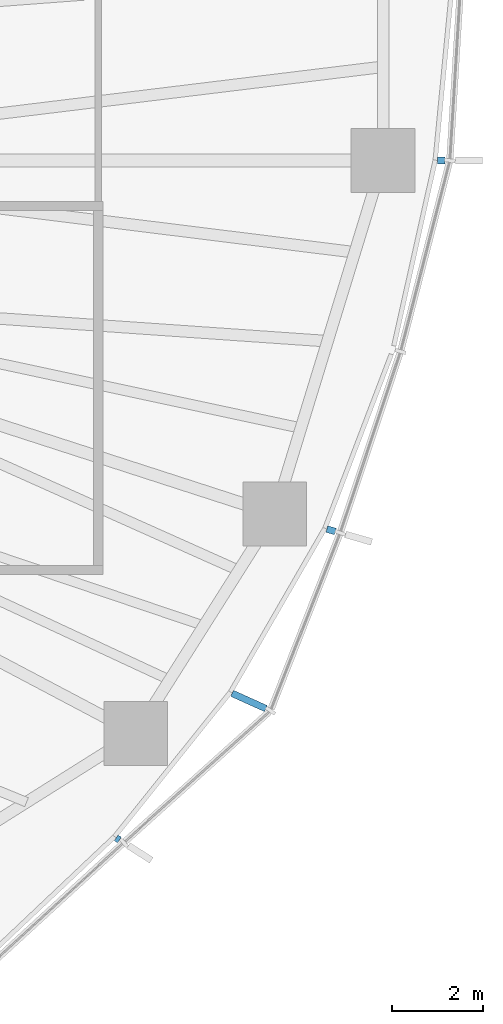
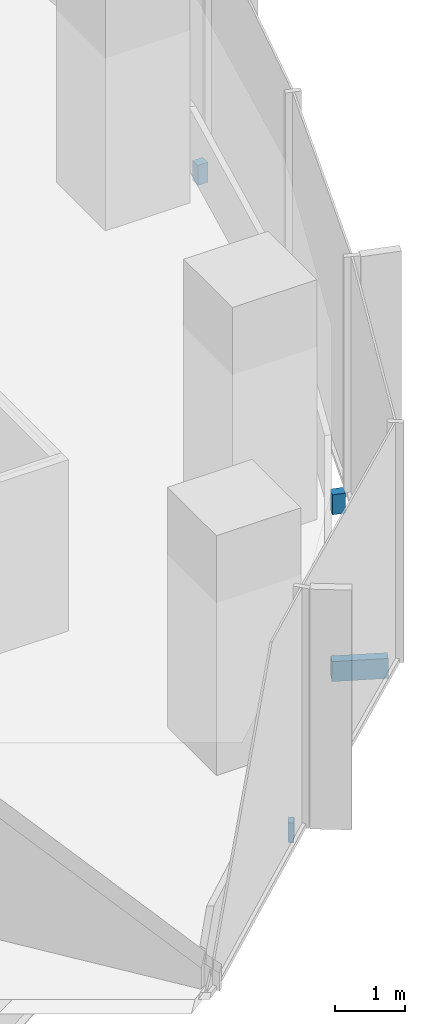
# One storey, part 14 of 18: 4 discrete accessories.
"""IFC4 building model written with IfcOpenShell, lengths in metres."""

from ifc_helpers import new_model, si_unit, direction, frame, origin, origin_2d, place, context, subcontext, project, spatial, rectangle, extrude, material, type_object, element, save


model = new_model("IFC4")

# Units and contexts
model_context = context("Model", 3, precision=1e-05, world=origin(), true_north=direction((0.0, 1.0)))
body_context = subcontext(model_context, "Body", "Model", "MODEL_VIEW")
ifc_project = project(units=[si_unit("LENGTHUNIT", "METRE"), si_unit("AREAUNIT", "SQUARE_METRE"), si_unit("VOLUMEUNIT", "CUBIC_METRE"), si_unit("PLANEANGLEUNIT", "RADIAN"), si_unit("MASSUNIT", "GRAM", prefix="KILO")], contexts=[model_context])

# Site, building, storey
site_placement = place(None, origin())
site = spatial("IfcSite", under=ifc_project, at=site_placement, CompositionType="ELEMENT")
building_placement = place(site_placement, origin())
building = spatial("IfcBuilding", under=site, at=building_placement, Name="Ghaith Harvest Tower", CompositionType="ELEMENT")
storey_placement = place(building_placement, frame((0.0, 0.0, 155.39990234375)))
storey = spatial("IfcBuildingStorey", under=building, at=storey_placement, Name="L33", CompositionType="ELEMENT", Elevation=155.39990234375)

# Discrete accessories
ifc_material_1 = material(Name="Stainless steel grade 1.4401", Category="steel")
discrete_accessory_type_1 = type_object("IfcDiscreteAccessoryType", Name="CURTAIN WALL BRACKET 165", PredefinedType="BRACKET", material=ifc_material_1)
discrete_accessory_1_placement = place(storey_placement, frame((30.5361328125, 0.0, -0.25), z_axis=(0.0, 0.0, 1.0), x_axis=(1.0, 0.0, 0.0)))
element("IfcDiscreteAccessory", 1, at=discrete_accessory_1_placement, inside=storey, type_object=discrete_accessory_type_1, Name="CW-L bracket 1 bay 01 L33", PredefinedType="BRACKET", context=body_context, shape_type="SweptSolid", body=[
    extrude(rectangle(XDim=0.1650390625, YDim=0.14990234375, at=origin_2d()), origin(), (0.0, 0.0, 1.0), 0.35009765625),
])
ifc_material_2 = material(Name="Stainless steel grade 1.4401", Category="steel")
discrete_accessory_type_2 = type_object("IfcDiscreteAccessoryType", Name="CURTAIN WALL BRACKET 195", PredefinedType="BRACKET", material=ifc_material_2)
discrete_accessory_2_placement = place(storey_placement, frame((28.1201171875, -8.127197265625, -0.25), z_axis=(0.0, 0.0, 1.0), x_axis=(0.960680349932, -0.277656739976, 0.0)))
element("IfcDiscreteAccessory", 2, at=discrete_accessory_2_placement, inside=storey, type_object=discrete_accessory_type_2, Name="CW-L bracket 1 bay 20 L33", PredefinedType="BRACKET", context=body_context, shape_type="SweptSolid", body=[
    extrude(rectangle(XDim=0.195068359375, YDim=0.14990234375, at=origin_2d()), origin(), (0.0, 0.0, 1.0), 0.35009765625),
])
ifc_material_3 = material(Name="Stainless steel grade 1.4401", Category="steel")
discrete_accessory_type_3 = type_object("IfcDiscreteAccessoryType", Name="CURTAIN WALL BRACKET 815", PredefinedType="BRACKET", material=ifc_material_3)
discrete_accessory_3_placement = place(storey_placement, frame((26.314697265625, -11.879638671875, -0.25), z_axis=(0.0, 0.0, 1.0), x_axis=(0.911426750831, -0.41146236507, 0.0)))
element("IfcDiscreteAccessory", 3, at=discrete_accessory_3_placement, inside=storey, type_object=discrete_accessory_type_3, Name="CW-L bracket 2 bay 19 L33", PredefinedType="BRACKET", context=body_context, shape_type="SweptSolid", body=[
    extrude(rectangle(XDim=0.81494140625, YDim=0.14990234375, at=origin_2d()), origin(), (0.0, 0.0, 1.0), 0.35009765625),
])
ifc_material_4 = material(Name="Stainless steel grade 1.4401", Category="steel")
discrete_accessory_type_4 = type_object("IfcDiscreteAccessoryType", Name="CURTAIN WALL BRACKET 85", PredefinedType="BRACKET", material=ifc_material_4)
discrete_accessory_4_placement = place(storey_placement, frame((23.431884765625, -14.912353515625, -0.25), z_axis=(0.0, 0.0, 1.0), x_axis=(0.84364397137, -0.536903016913, 0.0)))
element("IfcDiscreteAccessory", 4, at=discrete_accessory_4_placement, inside=storey, type_object=discrete_accessory_type_4, Name="CW-L bracket 1 bay 19 L33", PredefinedType="BRACKET", context=body_context, shape_type="SweptSolid", body=[
    extrude(rectangle(XDim=0.0849609375, YDim=0.14990234375, at=origin_2d()), origin(), (0.0, 0.0, 1.0), 0.35009765625),
])

save(model, "model.ifc")
